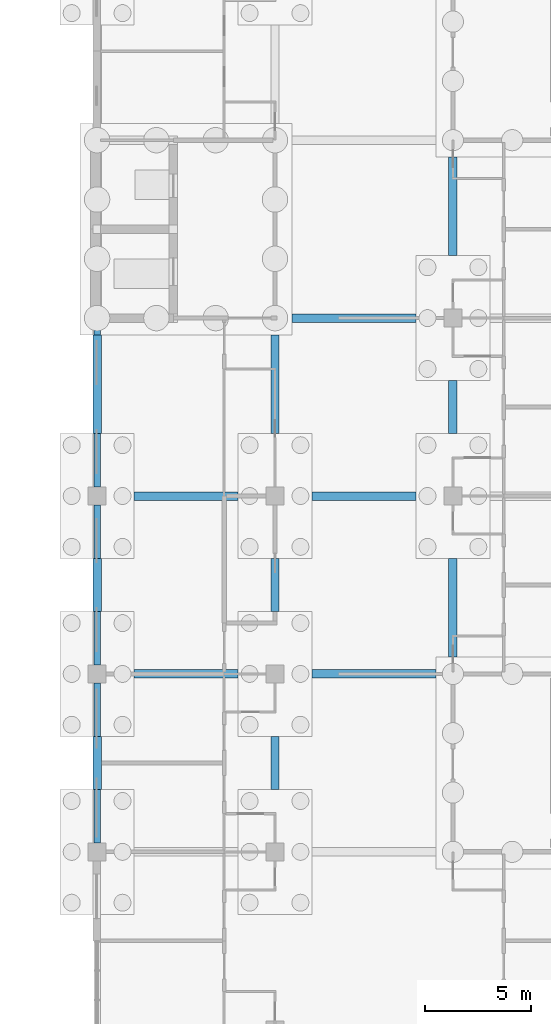
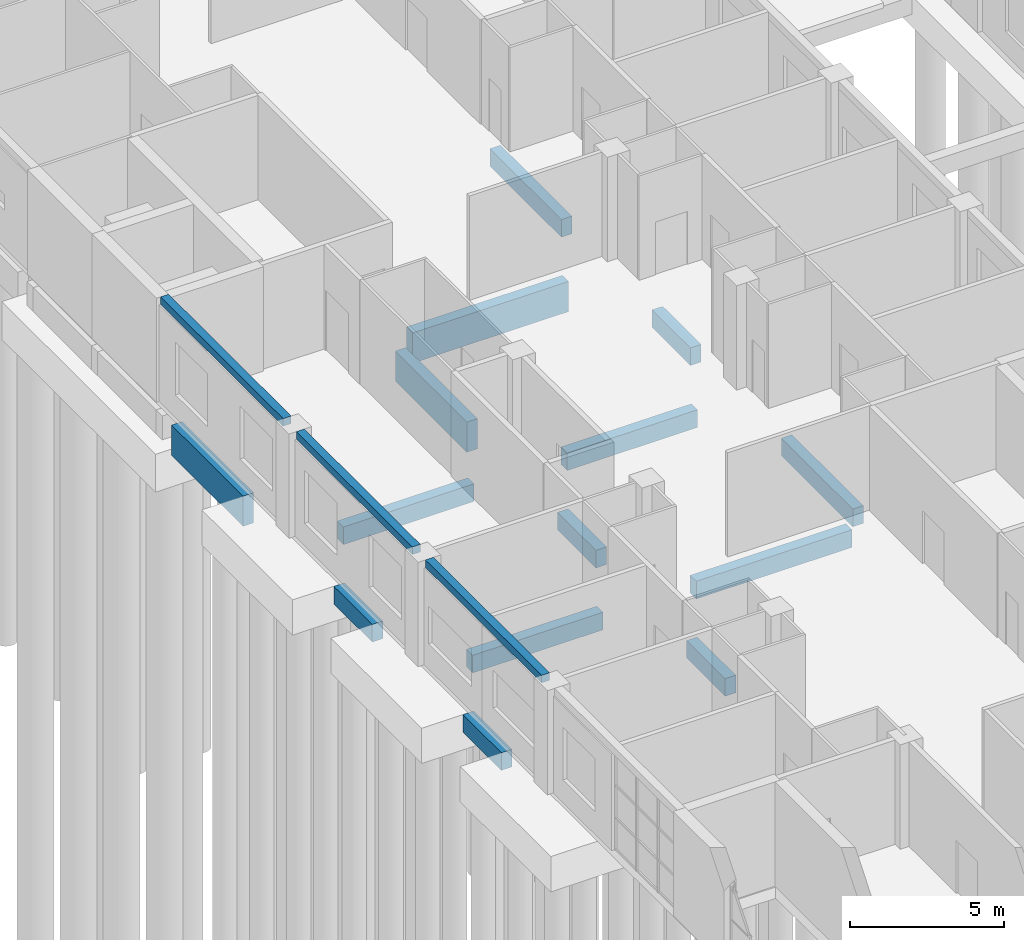
# One storey, part 41 of 138: 17 beams.
"""IFC4 building model written with IfcOpenShell, lengths in metres."""

from ifc_helpers import new_model, si_unit, direction, frame, origin, origin_2d, place, context, subcontext, project, spatial, rectangle, extrude, material, material_profile, profile_set, type_object, element, save


model = new_model("IFC4")

# Units and contexts
model_context = context("Model", 3, precision=1e-05, world=origin(), true_north=direction((0.0, 1.0)))
body_context = subcontext(model_context, "Body", "Model", "MODEL_VIEW")
ifc_project = project(units=[si_unit("LENGTHUNIT", "METRE"), si_unit("AREAUNIT", "SQUARE_METRE"), si_unit("VOLUMEUNIT", "CUBIC_METRE"), si_unit("PLANEANGLEUNIT", "RADIAN"), si_unit("MASSUNIT", "GRAM", prefix="KILO")], contexts=[model_context])

# Site, building, storey
site_placement = place(None, origin())
site = spatial("IfcSite", under=ifc_project, at=site_placement, CompositionType="ELEMENT")
building_placement = place(site_placement, origin())
building = spatial("IfcBuilding", under=site, at=building_placement, Name="Yavir Park General Hospital", CompositionType="ELEMENT")
storey_placement = place(building_placement, origin())
storey = spatial("IfcBuildingStorey", under=building, at=storey_placement, Name="L00", CompositionType="ELEMENT", Elevation=0.0)

# Beams
ifc_material_1 = material(Name="Concrete C35/45", Category="concrete")
ifc_material_profile_1 = material_profile(ifc_material_1, rectangle(XDim=0.300048828125, YDim=0.300048828125, at=origin_2d()), Name="RC300x300")
ifc_profile_set_1 = profile_set([ifc_material_profile_1], Name="Concrete C35/45")
beam_type_1 = type_object("IfcBeamType", Name="RC BEAM 300x300 edge beam", PredefinedType="BEAM", material=ifc_profile_set_1)
for number, where, z_axis, x_axis, name in (
    (1, (0.0, 42.425048828125, 3.989990234375), (0.0, 1.0, 0.0), (-1.0, 0.0, 0.0), "B:EDGE:L00:027"),
    (2, (0.0, 50.824951171875, 3.989990234375), (0.0, 1.0, 0.0), (-1.0, 0.0, 0.0), "B:EDGE:L00:028"),
):
    element("IfcBeam", number, at=place(storey_placement, frame(where, z_axis=z_axis, x_axis=x_axis)), inside=storey, type_object=beam_type_1, Name=name, PredefinedType="BEAM", context=body_context, shape_type="SweptSolid", body=[
        extrude(rectangle(XDim=0.300048828125, YDim=0.300048828125, at=origin_2d()), origin(), (0.0, 0.0, 1.0), 7.550048828125),
    ])
beam_1_placement = place(storey_placement, frame((0.0, 59.22509765625, 3.989990234375), z_axis=(0.0, 1.0, 0.0), x_axis=(-1.0, 0.0, 0.0)))
element("IfcBeam", 3, at=beam_1_placement, inside=storey, type_object=beam_type_1, Name="B:EDGE:L00:029", PredefinedType="BEAM", context=body_context, shape_type="SweptSolid", body=[
    extrude(rectangle(XDim=0.300048828125, YDim=0.300048828125, at=origin_2d()), origin(), (0.0, 0.0, 1.0), 7.974853515625),
])
ifc_material_2 = material(Name="Concrete C35/45", Category="concrete")
ifc_material_profile_2 = material_profile(ifc_material_2, rectangle(XDim=0.39990234375, YDim=1.199951171875, at=origin_2d()), Name="RC400x1200")
ifc_profile_set_2 = profile_set([ifc_material_profile_2], Name="Concrete C35/45")
beam_type_2 = type_object("IfcBeamType", Name="RC BEAM 400x1200 ground beam", PredefinedType="BEAM", material=ifc_profile_set_2)
beam_2_placement = place(storey_placement, frame((9.199951171875, 67.199951171875, -1.050048828125), z_axis=(1.0, 0.0, 0.0), x_axis=(0.0, 1.0, 0.0)))
element("IfcBeam", 4, at=beam_2_placement, inside=storey, type_object=beam_type_2, Name="B:GND:L00:AL:L00:3J", PredefinedType="BEAM", context=body_context, shape_type="SweptSolid", body=[
    extrude(rectangle(XDim=0.39990234375, YDim=1.199951171875, at=origin_2d()), origin(), (0.0, 0.0, 1.0), 5.85009765625),
])
for number, where, z_axis, x_axis, name in (
    (5, (0.0, 61.75, -1.050048828125), (0.0, 1.0, 0.0), (-1.0, 0.0, 0.0), "B:GND:L00:1H:L00:AL"),
    (6, (8.39990234375, 61.75, -1.050048828125), (0.0, 1.0, 0.0), (-1.0, 0.0, 0.0), "B:GND:L00:2H:L00:AL"),
):
    element("IfcBeam", number, at=place(storey_placement, frame(where, z_axis=z_axis, x_axis=x_axis)), inside=storey, type_object=beam_type_2, Name=name, PredefinedType="BEAM", context=body_context, shape_type="SweptSolid", body=[
        extrude(rectangle(XDim=0.39990234375, YDim=1.199951171875, at=origin_2d()), origin(), (0.0, 0.0, 1.0), 4.64990234375),
    ])
ifc_material_3 = material(Name="Concrete C35/45", Category="concrete")
ifc_material_profile_3 = material_profile(ifc_material_3, rectangle(XDim=0.39990234375, YDim=0.699951171875, at=origin_2d()), Name="RC400x700")
ifc_profile_set_3 = profile_set([ifc_material_profile_3], Name="Concrete C35/45")
beam_type_3 = type_object("IfcBeamType", Name="RC BEAM 400x700 ground beam", PredefinedType="BEAM", material=ifc_profile_set_3)
for number, where, z_axis, x_axis, name in (
    (7, (1.75, 50.39990234375, -0.800048828125), (1.0, 0.0, 0.0), (0.0, 1.0, 0.0), "B:GND:L00:1G:L00:2G"),
    (8, (1.75, 58.800048828125, -0.800048828125), (1.0, 0.0, 0.0), (0.0, 1.0, 0.0), "B:GND:L00:1H:L00:2H"),
):
    element("IfcBeam", number, at=place(storey_placement, frame(where, z_axis=z_axis, x_axis=x_axis)), inside=storey, type_object=beam_type_3, Name=name, PredefinedType="BEAM", context=body_context, shape_type="SweptSolid", body=[
        extrude(rectangle(XDim=0.39990234375, YDim=0.699951171875, at=origin_2d()), origin(), (0.0, 0.0, 1.0), 4.89990234375),
    ])
beam_3_placement = place(storey_placement, frame((10.14990234375, 50.39990234375, -0.800048828125), z_axis=(1.0, 0.0, 0.0), x_axis=(0.0, 1.0, 0.0)))
element("IfcBeam", 9, at=beam_3_placement, inside=storey, type_object=beam_type_3, Name="B:GND:L00:2G:L00:SW1", PredefinedType="BEAM", context=body_context, shape_type="SweptSolid", body=[
    extrude(rectangle(XDim=0.39990234375, YDim=0.699951171875, at=origin_2d()), origin(), (0.0, 0.0, 1.0), 5.85009765625),
])
beam_4_placement = place(storey_placement, frame((10.14990234375, 58.800048828125, -0.800048828125), z_axis=(1.0, 0.0, 0.0), x_axis=(0.0, 1.0, 0.0)))
element("IfcBeam", 10, at=beam_4_placement, inside=storey, type_object=beam_type_3, Name="B:GND:L00:2H:L00:3H", PredefinedType="BEAM", context=body_context, shape_type="SweptSolid", body=[
    extrude(rectangle(XDim=0.39990234375, YDim=0.699951171875, at=origin_2d()), origin(), (0.0, 0.0, 1.0), 4.900146484375),
])
for number, where, z_axis, x_axis, name in (
    (11, (0.0, 44.949951171875, -0.800048828125), (0.0, 1.0, 0.0), (-1.0, 0.0, 0.0), "B:GND:L00:1F:L00:1G"),
    (12, (0.0, 53.35009765625, -0.800048828125), (0.0, 1.0, 0.0), (-1.0, 0.0, 0.0), "B:GND:L00:1G:L00:1H"),
    (13, (8.39990234375, 44.949951171875, -0.800048828125), (0.0, 1.0, 0.0), (-1.0, 0.0, 0.0), "B:GND:L00:2F:L00:2G"),
    (14, (8.39990234375, 53.35009765625, -0.800048828125), (0.0, 1.0, 0.0), (-1.0, 0.0, 0.0), "B:GND:L00:2G:L00:2H"),
    (15, (16.800048828125, 61.75, -0.800048828125), (0.0, 1.0, 0.0), (-1.0, 0.0, 0.0), "B:GND:L00:3H:L00:3J"),
):
    element("IfcBeam", number, at=place(storey_placement, frame(where, z_axis=z_axis, x_axis=x_axis)), inside=storey, type_object=beam_type_3, Name=name, PredefinedType="BEAM", context=body_context, shape_type="SweptSolid", body=[
        extrude(rectangle(XDim=0.39990234375, YDim=0.699951171875, at=origin_2d()), origin(), (0.0, 0.0, 1.0), 2.5),
    ])
for number, where, z_axis, x_axis, name in (
    (16, (16.800048828125, 70.14990234375, -0.800048828125), (0.0, 1.0, 0.0), (-1.0, 0.0, 0.0), "B:GND:L00:3J:L00:SW2"),
    (17, (16.800048828125, 51.199951171875, -0.800048828125), (0.0, 1.0, 0.0), (-1.0, 0.0, 0.0), "B:GND:L00:SW1:L00:3H"),
):
    element("IfcBeam", number, at=place(storey_placement, frame(where, z_axis=z_axis, x_axis=x_axis)), inside=storey, type_object=beam_type_3, Name=name, PredefinedType="BEAM", context=body_context, shape_type="SweptSolid", body=[
        extrude(rectangle(XDim=0.39990234375, YDim=0.699951171875, at=origin_2d()), origin(), (0.0, 0.0, 1.0), 4.650146484375),
    ])

save(model, "model.ifc")
